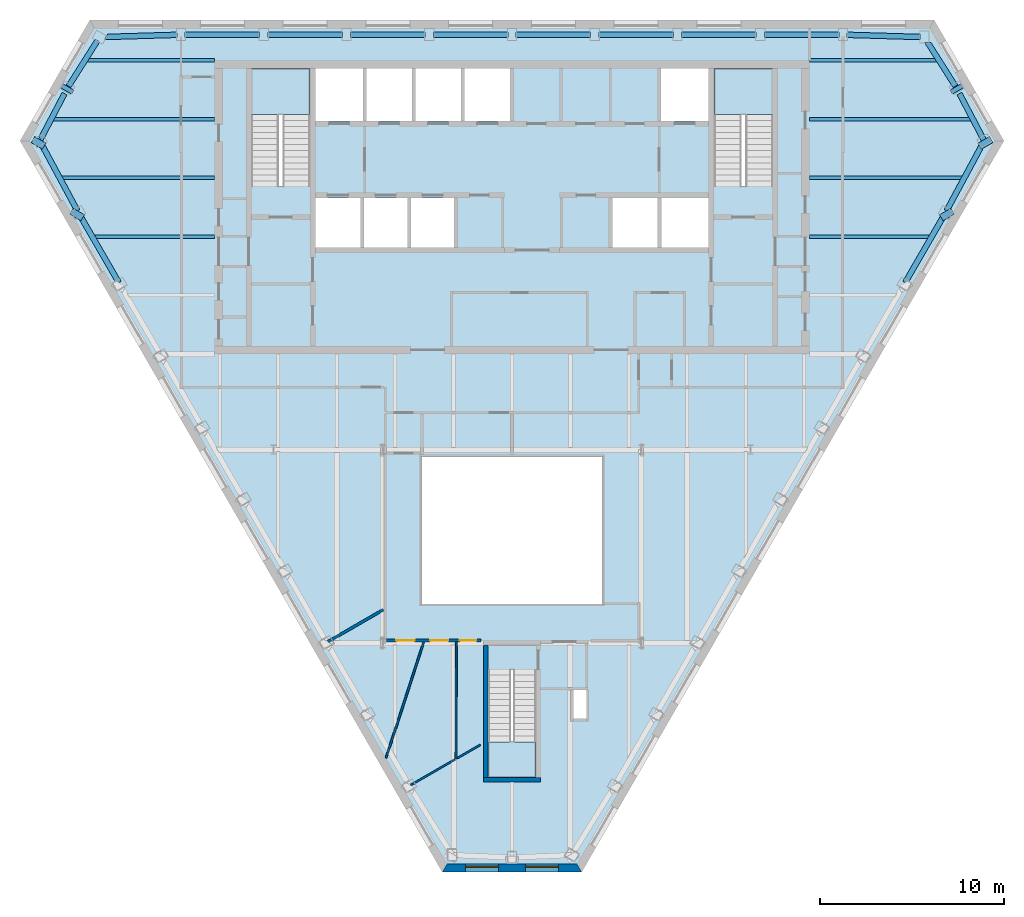
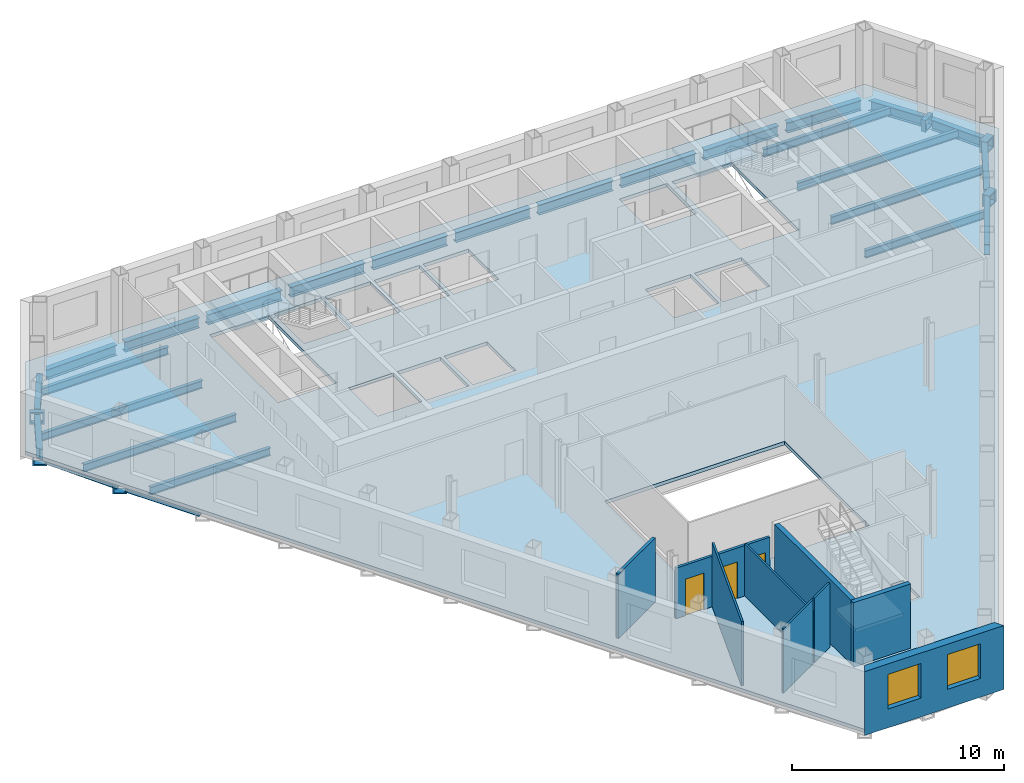
# One storey, part 3 of 10: 32 beams, 9 walls, 4 slabs, 3 doors, 2 windows, 5 openings, 3 elements without a shape of their own.
"""IFC4 building model written with IfcOpenShell, lengths in metres."""

from ifc_helpers import new_model, si_unit, direction, frame, frame_2d, origin, origin_2d, place, context, subcontext, project, spatial, polyline, rectangle, hollow_rectangle, i_section, outline, extrude, clip, halfspace, material, layer, layer_set, material_profile, profile_set, type_object, element, fill, aggregate, save


model = new_model("IFC4")

# Units and contexts
model_context = context("Model", 3, precision=1e-05, world=origin(), true_north=direction((0.0, 1.0)))
body_context = subcontext(model_context, "Body", "Model", "MODEL_VIEW")
ifc_project = project(units=[si_unit("LENGTHUNIT", "METRE"), si_unit("AREAUNIT", "SQUARE_METRE"), si_unit("VOLUMEUNIT", "CUBIC_METRE"), si_unit("PLANEANGLEUNIT", "RADIAN"), si_unit("MASSUNIT", "GRAM", prefix="KILO")], contexts=[model_context])

# Site, building, storey
site_placement = place(None, origin())
site = spatial("IfcSite", under=ifc_project, at=site_placement, CompositionType="ELEMENT")
building_placement = place(site_placement, origin())
building = spatial("IfcBuilding", under=site, at=building_placement, Name="Njiva Tower", CompositionType="ELEMENT")
storey_placement = place(building_placement, frame((0.0, 0.0, 192.6)))
storey = spatial("IfcBuildingStorey", under=building, at=storey_placement, Name="L42", CompositionType="ELEMENT", Elevation=192.6)

# Beams
ifc_material_1 = material(Name="Steel S355 J2", Category="steel")
ifc_material_profile_1 = material_profile(ifc_material_1, hollow_rectangle(XDim=0.7, YDim=0.7, WallThickness=0.08, at=origin_2d()), Name="BOX 700x700x80")
ifc_profile_set_1 = profile_set([ifc_material_profile_1], Name="Steel S355 J2")
beam_type_1 = type_object("IfcBeamType", Name="B19 Column jog beam BOX 700x700x80", PredefinedType="BEAM", material=ifc_profile_set_1)
beam_1_placement = place(storey_placement, frame((-24.302, 16.345, -0.55), z_axis=(0.500878308871, 0.865517717729, 0.0), x_axis=(-0.865517717729, 0.500878308871, 0.0)))
element("IfcBeam", 1, at=beam_1_placement, inside=storey, type_object=beam_type_1, Name="Column jog beam S14-B024", PredefinedType="BEAM", context=body_context, shape_type="SweptSolid", body=[
    extrude(hollow_rectangle(XDim=0.7, YDim=0.7, WallThickness=0.08, at=origin_2d()), origin(), (0.0, 0.0, 1.0), 0.2496),
])
for number, where, z_axis, x_axis, name in (
    (2, (-25.883, 13.341, -0.55), (0.500102178127, 0.865966403178, 0.0), (-0.865966403178, 0.500102178127, 0.0), "Column jog beam S14-B023"),
    (3, (-23.782, 9.437, -0.55), (0.500102178127, 0.865966403178, 0.0), (-0.865966403178, 0.500102178127, 0.0), "Column jog beam S14-B025"),
    (4, (23.782, 9.437, -0.55), (-0.500102178127, 0.865966403178, 0.0), (-0.865966403178, -0.500102178127, 0.0), "Column jog beam S14-B049"),
    (5, (25.883, 13.341, -0.55), (-0.500102178127, 0.865966403178, 0.0), (-0.865966403178, -0.500102178127, 0.0), "Column jog beam S14-B051"),
):
    element("IfcBeam", number, at=place(storey_placement, frame(where, z_axis=z_axis, x_axis=x_axis)), inside=storey, type_object=beam_type_1, Name=name, PredefinedType="BEAM", context=body_context, shape_type="SweptSolid", body=[
        extrude(hollow_rectangle(XDim=0.7, YDim=0.7, WallThickness=0.08, at=origin_2d()), origin(), (0.0, 0.0, 1.0), 0.3799),
    ])
beam_2_placement = place(storey_placement, frame((24.302, 16.345, -0.55), z_axis=(-0.500878308871, 0.865517717729, 0.0), x_axis=(-0.865517717729, -0.500878308871, 0.0)))
element("IfcBeam", 6, at=beam_2_placement, inside=storey, type_object=beam_type_1, Name="Column jog beam S14-B050", PredefinedType="BEAM", context=body_context, shape_type="SweptSolid", body=[
    extrude(hollow_rectangle(XDim=0.7, YDim=0.7, WallThickness=0.08, at=origin_2d()), origin(), (0.0, 0.0, 1.0), 0.2496),
])
ifc_material_profile_2 = material_profile(ifc_material_1, i_section(OverallWidth=0.3, OverallDepth=0.59, WebThickness=0.013, FlangeThickness=0.025, at=origin_2d()), Name="HEA 600")
ifc_profile_set_2 = profile_set([ifc_material_profile_2], Name="Steel S355 J2")
beam_type_2 = type_object("IfcBeamType", Name="B27 Short-span spandrel beam HEA 600", PredefinedType="SPANDREL", material=ifc_profile_set_2)
beam_3_placement = place(storey_placement, frame((22.232, 19.274, -0.495), z_axis=(-0.999551735133, 0.029938750687, 0.0), x_axis=(-0.029938750687, -0.999551735133, 0.0)))
element("IfcBeam", 7, at=beam_3_placement, inside=storey, type_object=beam_type_2, Name="Short-span spandrel beam S14-B132", PredefinedType="SPANDREL", context=body_context, shape_type="SweptSolid", body=[
    extrude(i_section(OverallWidth=0.3, OverallDepth=0.59, WebThickness=0.013, FlangeThickness=0.025, at=origin_2d()), origin(), (0.0, 0.0, 1.0), 3.9748),
])
beam_4_placement = place(storey_placement, frame((17.805, 19.4, -0.495), z_axis=(-1.0, 0.0, 0.0), x_axis=(0.0, -1.0, 0.0)))
element("IfcBeam", 8, at=beam_4_placement, inside=storey, type_object=beam_type_2, Name="Short-span spandrel beam S14-B127", PredefinedType="SPANDREL", context=body_context, shape_type="SweptSolid", body=[
    extrude(i_section(OverallWidth=0.3, OverallDepth=0.59, WebThickness=0.013, FlangeThickness=0.025, at=origin_2d()), origin(), (0.0, 0.0, 1.0), 4.057),
])
beam_5_placement = place(storey_placement, frame((13.298, 19.4, -0.495), z_axis=(-1.0, 0.0, 0.0), x_axis=(0.0, -1.0, 0.0)))
element("IfcBeam", 9, at=beam_5_placement, inside=storey, type_object=beam_type_2, Name="Short-span spandrel beam S14-B122", PredefinedType="SPANDREL", context=body_context, shape_type="SweptSolid", body=[
    extrude(i_section(OverallWidth=0.3, OverallDepth=0.59, WebThickness=0.013, FlangeThickness=0.025, at=origin_2d()), origin(), (0.0, 0.0, 1.0), 4.058),
])
beam_6_placement = place(storey_placement, frame((8.79, 19.4, -0.495), z_axis=(-1.0, 0.0, 0.0), x_axis=(0.0, -1.0, 0.0)))
element("IfcBeam", 10, at=beam_6_placement, inside=storey, type_object=beam_type_2, Name="Short-span spandrel beam S14-B117", PredefinedType="SPANDREL", context=body_context, shape_type="SweptSolid", body=[
    extrude(i_section(OverallWidth=0.3, OverallDepth=0.59, WebThickness=0.013, FlangeThickness=0.025, at=origin_2d()), origin(), (0.0, 0.0, 1.0), 4.057),
])
for number, where, z_axis, x_axis, name in (
    (11, (4.283, 19.4, -0.495), (-1.0, 0.0, 0.0), (0.0, -1.0, 0.0), "Short-span spandrel beam S14-B112"),
    (12, (-0.225, 19.4, -0.495), (-1.0, 0.0, 0.0), (0.0, -1.0, 0.0), "Short-span spandrel beam S14-B109"),
):
    element("IfcBeam", number, at=place(storey_placement, frame(where, z_axis=z_axis, x_axis=x_axis)), inside=storey, type_object=beam_type_2, Name=name, PredefinedType="SPANDREL", context=body_context, shape_type="SweptSolid", body=[
        extrude(i_section(OverallWidth=0.3, OverallDepth=0.59, WebThickness=0.013, FlangeThickness=0.025, at=origin_2d()), origin(), (0.0, 0.0, 1.0), 4.058),
    ])
beam_7_placement = place(storey_placement, frame((-4.733, 19.4, -0.495), z_axis=(-1.0, 0.0, 0.0), x_axis=(0.0, -1.0, 0.0)))
element("IfcBeam", 13, at=beam_7_placement, inside=storey, type_object=beam_type_2, Name="Short-span spandrel beam S14-B104", PredefinedType="SPANDREL", context=body_context, shape_type="SweptSolid", body=[
    extrude(i_section(OverallWidth=0.3, OverallDepth=0.59, WebThickness=0.013, FlangeThickness=0.025, at=origin_2d()), origin(), (0.0, 0.0, 1.0), 4.057),
])
beam_8_placement = place(storey_placement, frame((-9.24, 19.4, -0.495), z_axis=(-1.0, 0.0, 0.0), x_axis=(0.0, -1.0, 0.0)))
element("IfcBeam", 14, at=beam_8_placement, inside=storey, type_object=beam_type_2, Name="Short-span spandrel beam S14-B099", PredefinedType="SPANDREL", context=body_context, shape_type="SweptSolid", body=[
    extrude(i_section(OverallWidth=0.3, OverallDepth=0.59, WebThickness=0.013, FlangeThickness=0.025, at=origin_2d()), origin(), (0.0, 0.0, 1.0), 4.058),
])
beam_9_placement = place(storey_placement, frame((-13.748, 19.4, -0.495), z_axis=(-1.0, 0.0, 0.0), x_axis=(0.0, -1.0, 0.0)))
element("IfcBeam", 15, at=beam_9_placement, inside=storey, type_object=beam_type_2, Name="Short-span spandrel beam S14-B094", PredefinedType="SPANDREL", context=body_context, shape_type="SweptSolid", body=[
    extrude(i_section(OverallWidth=0.3, OverallDepth=0.59, WebThickness=0.013, FlangeThickness=0.025, at=origin_2d()), origin(), (0.0, 0.0, 1.0), 4.057),
])
beam_10_placement = place(storey_placement, frame((-18.259, 19.393, -0.495), z_axis=(-0.999546404273, -0.03011620335, 0.0), x_axis=(0.03011620335, -0.999546404273, 0.0)))
element("IfcBeam", 16, at=beam_10_placement, inside=storey, type_object=beam_type_2, Name="Short-span spandrel beam S14-B089", PredefinedType="SPANDREL", context=body_context, shape_type="Clipping", body=[
    clip(extrude(i_section(OverallWidth=0.3, OverallDepth=0.59, WebThickness=0.013, FlangeThickness=0.025, at=origin_2d()), origin(), (0.0, 0.0, 1.0), 3.9647), halfspace(frame((-0.0268, 0.0, 3.835), z_axis=(-0.525852644597, 0.0, 0.850575685151), x_axis=(0.0, 1.0, 0.0)), False)),
])
beam_11_placement = place(storey_placement, frame((-22.584, 19.072, -0.495), z_axis=(-0.534954739836, -0.844880717218, 0.0), x_axis=(0.844880717218, -0.534954739836, 0.0)))
element("IfcBeam", 17, at=beam_11_placement, inside=storey, type_object=beam_type_2, Name="Short-span spandrel beam S14-B085", PredefinedType="SPANDREL", context=body_context, shape_type="SweptSolid", body=[
    extrude(i_section(OverallWidth=0.3, OverallDepth=0.59, WebThickness=0.013, FlangeThickness=0.025, at=origin_2d()), origin(), (0.0, 0.0, 1.0), 2.933),
])
beam_12_placement = place(storey_placement, frame((-24.374, 16.19, -0.495), z_axis=(-0.464458063409, -0.885595114787, 0.0), x_axis=(0.885595114787, -0.464458063409, 0.0)))
element("IfcBeam", 18, at=beam_12_placement, inside=storey, type_object=beam_type_2, Name="Short-span spandrel beam S14-B081", PredefinedType="SPANDREL", context=body_context, shape_type="Clipping", body=[
    clip(extrude(i_section(OverallWidth=0.3, OverallDepth=0.59, WebThickness=0.013, FlangeThickness=0.025, at=origin_2d()), origin(), (0.0, 0.0, 1.0), 2.9312), halfspace(frame((-0.0265, 0.0, 2.7989), z_axis=(-0.53472077713, 0.0, 0.845028810459), x_axis=(0.0, 1.0, 0.0)), False)),
])
beam_13_placement = place(storey_placement, frame((-25.553, 13.302, -0.495), z_axis=(0.473769879292, -0.880648682209, 0.0), x_axis=(0.880648682209, 0.473769879292, 0.0)))
element("IfcBeam", 19, at=beam_13_placement, inside=storey, type_object=beam_type_2, Name="Short-span spandrel beam S14-B084", PredefinedType="SPANDREL", context=body_context, shape_type="SweptSolid", body=[
    extrude(i_section(OverallWidth=0.3, OverallDepth=0.59, WebThickness=0.013, FlangeThickness=0.025, at=origin_2d()), origin(), (0.0, 0.0, 1.0), 3.9766),
])
for number, where, z_axis, x_axis, name in (
    (20, (-23.445, 9.407, -0.495), (0.500035331196, -0.866005004348, 0.0), (0.866005004348, 0.500035331196, 0.0), "Short-span spandrel beam S14-B088"),
    (21, (21.416, 5.893, -0.495), (0.500035331196, 0.866005004348, 0.0), (-0.866005004348, 0.500035331196, 0.0), "Short-span spandrel beam S14-B135"),
):
    element("IfcBeam", number, at=place(storey_placement, frame(where, z_axis=z_axis, x_axis=x_axis)), inside=storey, type_object=beam_type_2, Name=name, PredefinedType="SPANDREL", context=body_context, shape_type="SweptSolid", body=[
        extrude(i_section(OverallWidth=0.3, OverallDepth=0.59, WebThickness=0.013, FlangeThickness=0.025, at=origin_2d()), origin(), (0.0, 0.0, 1.0), 4.0577),
    ])
beam_14_placement = place(storey_placement, frame((23.669, 9.8, -0.495), z_axis=(0.473725513025, 0.880672548856, 0.0), x_axis=(-0.880672548856, 0.473725513025, 0.0)))
element("IfcBeam", 22, at=beam_14_placement, inside=storey, type_object=beam_type_2, Name="Short-span spandrel beam S14-B139", PredefinedType="SPANDREL", context=body_context, shape_type="Clipping", body=[
    clip(extrude(i_section(OverallWidth=0.3, OverallDepth=0.59, WebThickness=0.013, FlangeThickness=0.025, at=origin_2d()), origin(), (0.0, 0.0, 1.0), 4.0963), halfspace(frame((-0.026, 0.0, 3.9669), z_axis=(-0.525823997962, 0.0, 0.850593394736), x_axis=(0.0, 1.0, 0.0)), False)),
])
beam_15_placement = place(storey_placement, frame((25.723, 13.618, -0.495), z_axis=(-0.464482966683, 0.885582053602, 0.0), x_axis=(-0.885582053602, -0.464482966683, 0.0)))
element("IfcBeam", 23, at=beam_15_placement, inside=storey, type_object=beam_type_2, Name="Short-span spandrel beam S14-B142", PredefinedType="SPANDREL", context=body_context, shape_type="SweptSolid", body=[
    extrude(i_section(OverallWidth=0.3, OverallDepth=0.59, WebThickness=0.013, FlangeThickness=0.025, at=origin_2d()), origin(), (0.0, 0.0, 1.0), 2.9043),
])
beam_16_placement = place(storey_placement, frame((24.153, 16.594, -0.495), z_axis=(-0.534823338306, 0.844963902663, 0.0), x_axis=(-0.844963902663, -0.534823338306, 0.0)))
element("IfcBeam", 24, at=beam_16_placement, inside=storey, type_object=beam_type_2, Name="Short-span spandrel beam S14-B138", PredefinedType="SPANDREL", context=body_context, shape_type="Clipping", body=[
    clip(extrude(i_section(OverallWidth=0.3, OverallDepth=0.59, WebThickness=0.013, FlangeThickness=0.025, at=origin_2d()), origin(), (0.0, 0.0, 1.0), 2.9234), halfspace(frame((-0.0269, 0.0, 2.7914), z_axis=(-0.534823338306, 0.0, 0.844963902663), x_axis=(0.0, 1.0, 0.0)), False)),
])
ifc_material_profile_3 = material_profile(ifc_material_1, i_section(OverallWidth=0.19, OverallDepth=0.45, WebThickness=0.0094, FlangeThickness=0.0146, at=origin_2d()), Name="IPE 450")
ifc_profile_set_3 = profile_set([ifc_material_profile_3], Name="Steel S355 J2")
beam_type_3 = type_object("IfcBeamType", Name="B37 Floor beam to the core IPE 450", PredefinedType="BEAM", material=ifc_profile_set_3)
beam_17_placement = place(storey_placement, frame((-22.823, 8.4, -0.425), z_axis=(1.0, 0.0, 0.0), x_axis=(0.0, 1.0, 0.0)))
element("IfcBeam", 25, at=beam_17_placement, inside=storey, type_object=beam_type_3, Name="Floor beam to the core S14-B004", PredefinedType="BEAM", context=body_context, shape_type="Clipping", body=[
    clip(extrude(i_section(OverallWidth=0.19, OverallDepth=0.45, WebThickness=0.0094, FlangeThickness=0.0146, at=origin_2d()), origin(), (0.0, 0.0, 1.0), 6.623), halfspace(frame((-0.025, 0.0, 0.0894), z_axis=(-0.499998009787, 0.0, -0.866026552831), x_axis=(0.0, -1.0, 0.0)), False)),
])
beam_18_placement = place(storey_placement, frame((16.2, 8.4, -0.425), z_axis=(1.0, 0.0, 0.0), x_axis=(0.0, 1.0, 0.0)))
element("IfcBeam", 26, at=beam_18_placement, inside=storey, type_object=beam_type_3, Name="Floor beam to the core S14-B007", PredefinedType="BEAM", context=body_context, shape_type="Clipping", body=[
    clip(extrude(i_section(OverallWidth=0.19, OverallDepth=0.45, WebThickness=0.0094, FlangeThickness=0.0146, at=origin_2d()), origin(), (0.0, 0.0, 1.0), 6.623), halfspace(frame((-0.025, 0.0, 6.5336), z_axis=(-0.499998009787, 0.0, 0.866026552831), x_axis=(0.0, 1.0, 0.0)), False)),
])
beam_19_placement = place(storey_placement, frame((-24.594, 11.6, -0.425), z_axis=(1.0, 0.0, 0.0), x_axis=(0.0, 1.0, 0.0)))
element("IfcBeam", 27, at=beam_19_placement, inside=storey, type_object=beam_type_3, Name="Floor beam to the core S14-B002", PredefinedType="BEAM", context=body_context, shape_type="Clipping", body=[
    clip(extrude(i_section(OverallWidth=0.19, OverallDepth=0.45, WebThickness=0.0094, FlangeThickness=0.0146, at=origin_2d()), origin(), (0.0, 0.0, 1.0), 8.394), halfspace(frame((-0.0237, 0.0, 0.0835), z_axis=(-0.473769423091, 0.0, -0.880648927634), x_axis=(0.0, -1.0, 0.0)), False)),
])
beam_20_placement = place(storey_placement, frame((16.2, 11.6, -0.425), z_axis=(1.0, 0.0, 0.0), x_axis=(0.0, 1.0, 0.0)))
element("IfcBeam", 28, at=beam_20_placement, inside=storey, type_object=beam_type_3, Name="Floor beam to the core S14-B008", PredefinedType="BEAM", context=body_context, shape_type="Clipping", body=[
    clip(extrude(i_section(OverallWidth=0.19, OverallDepth=0.45, WebThickness=0.0094, FlangeThickness=0.0146, at=origin_2d()), origin(), (0.0, 0.0, 1.0), 8.394), halfspace(frame((-0.0237, 0.0, 8.3105), z_axis=(-0.473769423091, 0.0, 0.880648927634), x_axis=(0.0, 1.0, 0.0)), False)),
])
beam_21_placement = place(storey_placement, frame((-25.06, 14.8, -0.425), z_axis=(1.0, 0.0, 0.0), x_axis=(0.0, 1.0, 0.0)))
element("IfcBeam", 29, at=beam_21_placement, inside=storey, type_object=beam_type_3, Name="Floor beam to the core S14-B001", PredefinedType="BEAM", context=body_context, shape_type="Clipping", body=[
    clip(extrude(i_section(OverallWidth=0.19, OverallDepth=0.45, WebThickness=0.0094, FlangeThickness=0.0146, at=origin_2d()), origin(), (0.0, 0.0, 1.0), 8.86), halfspace(frame((0.0232, 0.0, 0.082), z_axis=(0.464267418007, 0.0, -0.885695074265), x_axis=(0.0, -1.0, 0.0)), False)),
])
beam_22_placement = place(storey_placement, frame((16.2, 14.8, -0.425), z_axis=(1.0, 0.0, 0.0), x_axis=(0.0, 1.0, 0.0)))
element("IfcBeam", 30, at=beam_22_placement, inside=storey, type_object=beam_type_3, Name="Floor beam to the core S14-B009", PredefinedType="BEAM", context=body_context, shape_type="Clipping", body=[
    clip(extrude(i_section(OverallWidth=0.19, OverallDepth=0.45, WebThickness=0.0094, FlangeThickness=0.0146, at=origin_2d()), origin(), (0.0, 0.0, 1.0), 8.86), halfspace(frame((0.0232, 0.0, 8.778), z_axis=(0.464267418007, 0.0, 0.885695074265), x_axis=(0.0, 1.0, 0.0)), False)),
])
beam_23_placement = place(storey_placement, frame((-23.225, 18.0, -0.425), z_axis=(1.0, 0.0, 0.0), x_axis=(0.0, 1.0, 0.0)))
element("IfcBeam", 31, at=beam_23_placement, inside=storey, type_object=beam_type_3, Name="Floor beam to the core S14-B003", PredefinedType="BEAM", context=body_context, shape_type="Clipping", body=[
    clip(extrude(i_section(OverallWidth=0.19, OverallDepth=0.45, WebThickness=0.0094, FlangeThickness=0.0146, at=origin_2d()), origin(), (0.0, 0.0, 1.0), 7.025), halfspace(frame((0.0267, 0.0, 0.097), z_axis=(0.534902428971, 0.0, -0.84491383672), x_axis=(0.0, -1.0, 0.0)), False)),
])
beam_24_placement = place(storey_placement, frame((16.2, 18.0, -0.425), z_axis=(1.0, 0.0, 0.0), x_axis=(0.0, 1.0, 0.0)))
element("IfcBeam", 32, at=beam_24_placement, inside=storey, type_object=beam_type_3, Name="Floor beam to the core S14-B010", PredefinedType="BEAM", context=body_context, shape_type="Clipping", body=[
    clip(extrude(i_section(OverallWidth=0.19, OverallDepth=0.45, WebThickness=0.0094, FlangeThickness=0.0146, at=origin_2d()), origin(), (0.0, 0.0, 1.0), 7.025), halfspace(frame((0.0267, 0.0, 6.928), z_axis=(0.534902428971, 0.0, 0.84491383672), x_axis=(0.0, 1.0, 0.0)), False)),
])

# Stair, slab
ifc_material_2 = material(Name="Concrete C40/50", Category="concrete")
stair_type_1 = type_object("IfcStairType", Name="ST4 Exit stair 1500", PredefinedType="HALF_TURN_STAIR", material=ifc_material_2)
stair_1_placement = place(storey_placement, origin())
stair_1 = element("IfcStair", 33, at=stair_1_placement, inside=storey, type_object=stair_type_1, Name="Stair A", PredefinedType="HALF_TURN_STAIR")
ifc_layer_1 = layer(ifc_material_2, 0.2)
ifc_layer_set_1 = layer_set([ifc_layer_1], Name="Concrete C40/50")
slab_type_1 = type_object("IfcSlabType", Name="FL9 Stair landing 200", PredefinedType="LANDING", material=ifc_layer_set_1)
slab_1_placement = place(storey_placement, frame((0.0, 0.0, 1.75)))
slab_1 = element("IfcSlab", 34, at=slab_1_placement, type_object=slab_type_1, Name="ST-A landing 1", PredefinedType="LANDING", context=body_context, shape_type="SweptSolid", body=[
    extrude(outline(polyline([(-14.206, 15.06), (-10.994, 15.06), (-10.994, 17.55), (-14.206, 17.55), (-14.206, 15.06)])), origin(), (0.0, 0.0, 1.0), 0.2),
])
aggregate(stair_1, [slab_1])

stair_2_placement = place(storey_placement, origin())
stair_2 = element("IfcStair", 35, at=stair_2_placement, inside=storey, type_object=stair_type_1, Name="Stair B", PredefinedType="HALF_TURN_STAIR")
slab_2_placement = place(storey_placement, frame((0.0, 0.0, 1.75)))
slab_2 = element("IfcSlab", 36, at=slab_2_placement, type_object=slab_type_1, Name="ST-B landing 1", PredefinedType="LANDING", context=body_context, shape_type="SweptSolid", body=[
    extrude(outline(polyline([(10.994, 15.06), (14.206, 15.06), (14.206, 17.55), (10.994, 17.55), (10.994, 15.06)])), origin(), (0.0, 0.0, 1.0), 0.2),
])
aggregate(stair_2, [slab_2])

stair_type_2 = type_object("IfcStairType", Name="ST1 Exit stair 1250", PredefinedType="HALF_TURN_STAIR", material=ifc_material_2)
stair_3_placement = place(storey_placement, origin())
stair_3 = element("IfcStair", 37, at=stair_3_placement, inside=storey, type_object=stair_type_2, Name="Stair C", PredefinedType="HALF_TURN_STAIR")
slab_3_placement = place(storey_placement, frame((0.0, 0.0, 1.75)))
slab_3 = element("IfcSlab", 38, at=slab_3_placement, type_object=slab_type_1, Name="ST-C landing 1", PredefinedType="LANDING", context=body_context, shape_type="SweptSolid", body=[
    extrude(outline(polyline([(-1.306, -21.05), (1.306, -21.05), (1.306, -19.12), (-1.306, -19.12), (-1.306, -21.05)])), origin(), (0.0, 0.0, 1.0), 0.2),
])
aggregate(stair_3, [slab_3])

# Slab
ifc_material_3 = material(Name="Concrete C30/37", Category="concrete")
ifc_layer_2 = layer(ifc_material_3, 0.2)
ifc_layer_set_2 = layer_set([ifc_layer_2], Name="Concrete C30/37")
slab_type_2 = type_object("IfcSlabType", Name="SL16 Composite floor slab 200", PredefinedType="FLOOR", material=ifc_layer_set_2)
slab_4_placement = place(storey_placement, frame((0.0, 0.0, -0.2)))
element("IfcSlab", 39, at=slab_4_placement, inside=storey, type_object=slab_type_2, Name="Floor slab L42", PredefinedType="FLOOR", context=body_context, shape_type="SweptSolid", body=[
    extrude(outline(polyline([(26.5402, 13.6182), (3.6701, -25.994), (-3.6701, -25.994), (-26.5402, 13.6182), (-22.8701, 19.975), (22.8701, 19.975), (26.5402, 13.6182)]), holes=[polyline([(10.994, 11.13), (14.206, 11.13), (14.206, 17.55), (10.994, 17.55), (10.994, 11.13)]), polyline([(8.125, 14.7), (10.7, 14.7), (10.7, 17.55), (8.125, 17.55), (8.125, 14.7)]), polyline([(8.1333, 7.8), (10.7, 7.8), (10.7, 10.5), (8.1333, 10.5), (8.1333, 7.8)]), polyline([(5.4667, 7.8), (7.9333, 7.8), (7.9333, 10.5), (5.4667, 10.5), (5.4667, 7.8)]), polyline([(4.9, -11.6), (4.9, -3.6), (-4.9, -3.6), (-4.9, -11.6), (4.9, -11.6)]), polyline([(3.35, -17.85), (4.05, -17.85), (4.05, -16.3), (3.35, -16.3), (3.35, -17.85)]), polyline([(-1.306, -21.05), (1.306, -21.05), (1.306, -15.19), (-1.306, -15.19), (-1.306, -21.05)]), polyline([(-2.575, 14.7), (-0.1, 14.7), (-0.1, 17.55), (-2.575, 17.55), (-2.575, 14.7)]), polyline([(-5.25, 14.7), (-2.775, 14.7), (-2.775, 17.55), (-5.25, 17.55), (-5.25, 14.7)]), polyline([(-5.5, 7.8), (-3.15, 7.8), (-3.15, 10.5), (-5.5, 10.5), (-5.5, 7.8)]), polyline([(-7.925, 14.7), (-5.45, 14.7), (-5.45, 17.55), (-7.925, 17.55), (-7.925, 14.7)]), polyline([(-8.05, 7.8), (-5.7, 7.8), (-5.7, 10.5), (-8.05, 10.5), (-8.05, 7.8)]), polyline([(-10.7, 14.7), (-8.125, 14.7), (-8.125, 17.55), (-10.7, 17.55), (-10.7, 14.7)]), polyline([(-8.25, 7.8), (-8.25, 10.5), (-10.7, 10.5), (-10.7, 7.8), (-8.25, 7.8)]), polyline([(-14.206, 11.13), (-10.994, 11.13), (-10.994, 17.55), (-14.206, 17.55), (-14.206, 11.13)])]), origin(), (0.0, 0.0, 1.0), 0.2),
])

# Walls
ifc_material_4 = material(Name="Gypsum board on steel studs", Category="gypsum")
ifc_layer_3 = layer(ifc_material_4, 0.1)
ifc_layer_set_3 = layer_set([ifc_layer_3], Name="Gypsum board on steel studs")
wall_type_1 = type_object("IfcWallType", Name="WT20 Gypsum partition 100", PredefinedType="PARTITIONING", material=ifc_layer_set_3)
wall_1_placement = place(storey_placement, frame((-6.866, -20.008, 0.0), z_axis=(0.0, 0.0, 1.0), x_axis=(0.309446795586, 0.95091675803, 0.0)))
element("IfcWall", 40, at=wall_1_placement, inside=storey, type_object=wall_type_1, Name="Partition S14-P010", PredefinedType="PARTITIONING", context=body_context, shape_type="SweptSolid", body=[
    extrude(rectangle(XDim=6.6441, YDim=0.1, at=frame_2d((3.322, 0.0))), origin(), (0.0, 0.0, 1.0), 3.7),
])
wall_2_placement = place(storey_placement, frame((-5.505, -21.465, 0.0), z_axis=(0.0, 0.0, 1.0), x_axis=(0.866269282503, 0.49957735156, 0.0)))
element("IfcWall", 41, at=wall_2_placement, inside=storey, type_object=wall_type_1, Name="Partition S14-P013", PredefinedType="PARTITIONING", context=body_context, shape_type="SweptSolid", body=[
    extrude(rectangle(XDim=2.7844, YDim=0.1, at=frame_2d((1.3922, 0.0))), origin(), (0.0, 0.0, 1.0), 3.7),
])
wall_3_placement = place(storey_placement, frame((-3.056, -20.051, 0.0), z_axis=(0.0, 0.0, 1.0), x_axis=(0.002979911487, 0.999995560054, 0.0)))
element("IfcWall", 42, at=wall_3_placement, inside=storey, type_object=wall_type_1, Name="Partition S14-P015", PredefinedType="PARTITIONING", context=body_context, shape_type="SweptSolid", body=[
    extrude(rectangle(XDim=6.376, YDim=0.1, at=frame_2d((3.188, 0.0))), origin(), (0.0, 0.0, 1.0), 3.01),
])
wall_4_placement = place(storey_placement, frame((-2.981, -20.009, 0.0), z_axis=(0.0, 0.0, 1.0), x_axis=(0.866070766281, 0.499921421619, 0.0)))
element("IfcWall", 43, at=wall_4_placement, inside=storey, type_object=wall_type_1, Name="Partition S14-P016", PredefinedType="PARTITIONING", context=body_context, shape_type="SweptSolid", body=[
    extrude(rectangle(XDim=1.4502, YDim=0.1, at=frame_2d((0.7251, 0.0))), origin(), (0.0, 0.0, 1.0), 3.7),
])
ifc_layer_4 = layer(ifc_material_4, 0.15)
ifc_layer_set_4 = layer_set([ifc_layer_4], Name="Gypsum board on steel studs")
wall_type_2 = type_object("IfcWallType", Name="WT21 Compartment wall 150", PredefinedType="PARTITIONING", material=ifc_layer_set_4)
wall_5_placement = place(storey_placement, frame((-10.013, -13.658, 0.0), z_axis=(0.0, 0.0, 1.0), x_axis=(0.865906746611, 0.500205463959, 0.0)))
element("IfcWall", 44, at=wall_5_placement, inside=storey, type_object=wall_type_2, Name="Partition S14-P006", PredefinedType="PARTITIONING", context=body_context, shape_type="SweptSolid", body=[
    extrude(rectangle(XDim=3.4646, YDim=0.15, at=frame_2d((1.7323, 0.0))), origin(), (0.0, 0.0, 1.0), 3.7),
])

# Wall, openings, doors
wall_6_placement = place(storey_placement, frame((-6.825, -13.6, 0.0), z_axis=(0.0, 0.0, 1.0), x_axis=(1.0, 0.0, 0.0)))
wall_6 = element("IfcWall", 45, at=wall_6_placement, inside=storey, type_object=wall_type_2, Name="Partition S14-P011", PredefinedType="PARTITIONING", context=body_context, shape_type="SweptSolid", body=[
    extrude(rectangle(XDim=5.125, YDim=0.15, at=frame_2d((2.5625, 0.0))), origin(), (0.0, 0.0, 1.0), 2.91),
])
opening_1_placement = place(wall_6_placement, frame((0.522, 0.0, 0.0)))
opening_1 = element("IfcOpeningElement", 46, at=opening_1_placement, cuts=wall_6, Name="Opening S14-D006", PredefinedType="OPENING", context=body_context, shape_type="SweptSolid", body=[
    extrude(rectangle(XDim=1.0, YDim=2.1, at=frame_2d((0.5, 1.05))), frame((0.0, 0.085, 0.0), z_axis=(0.0, -1.0, 0.0), x_axis=(1.0, 0.0, 0.0)), (0.0, 0.0, 1.0), 0.17),
])
opening_2_placement = place(wall_6_placement, frame((2.359, 0.0, 0.0)))
opening_2 = element("IfcOpeningElement", 47, at=opening_2_placement, cuts=wall_6, Name="Opening S14-D007", PredefinedType="OPENING", context=body_context, shape_type="SweptSolid", body=[
    extrude(rectangle(XDim=1.0, YDim=2.1, at=frame_2d((0.5, 1.05))), frame((0.0, 0.085, 0.0), z_axis=(0.0, -1.0, 0.0), x_axis=(1.0, 0.0, 0.0)), (0.0, 0.0, 1.0), 0.17),
])
opening_3_placement = place(wall_6_placement, frame((3.988, 0.0, 0.0)))
opening_3 = element("IfcOpeningElement", 48, at=opening_3_placement, cuts=wall_6, Name="Opening S14-D008", PredefinedType="OPENING", context=body_context, shape_type="SweptSolid", body=[
    extrude(rectangle(XDim=0.9, YDim=2.1, at=frame_2d((0.45, 1.05))), frame((0.0, 0.085, 0.0), z_axis=(0.0, -1.0, 0.0), x_axis=(1.0, 0.0, 0.0)), (0.0, 0.0, 1.0), 0.17),
])
ifc_material_5 = material(Name="Steel fire door set", Category="steel")
door_type_1 = type_object("IfcDoorType", Name="D36 Fire door 900x2100", OperationType="SINGLE_SWING_LEFT", PredefinedType="DOOR", material=ifc_material_5)
door_1_placement = place(opening_3_placement, origin())
door_1 = element("IfcDoor", 49, at=door_1_placement, inside=storey, type_object=door_type_1, Name="Door S14-D008", OperationType="SINGLE_SWING_RIGHT", OverallHeight=2.1, OverallWidth=0.9, PredefinedType="DOOR", context=body_context, shape_type="SweptSolid", body=[
    extrude(rectangle(XDim=0.9, YDim=2.1, at=frame_2d((0.45, 1.05))), frame((0.0, 0.025, 0.0), z_axis=(0.0, -1.0, 0.0), x_axis=(1.0, 0.0, 0.0)), (0.0, 0.0, 1.0), 0.05),
])
fill(opening_3, door_1)
door_type_2 = type_object("IfcDoorType", Name="D37 Fire door 1000x2100", OperationType="SINGLE_SWING_LEFT", PredefinedType="DOOR", material=ifc_material_5)
door_2_placement = place(opening_1_placement, origin())
door_2 = element("IfcDoor", 50, at=door_2_placement, inside=storey, type_object=door_type_2, Name="Door S14-D006", OperationType="SINGLE_SWING_LEFT", OverallHeight=2.1, OverallWidth=1.0, PredefinedType="DOOR", context=body_context, shape_type="SweptSolid", body=[
    extrude(rectangle(XDim=1.0, YDim=2.1, at=frame_2d((0.5, 1.05))), frame((0.0, 0.025, 0.0), z_axis=(0.0, -1.0, 0.0), x_axis=(1.0, 0.0, 0.0)), (0.0, 0.0, 1.0), 0.05),
])
fill(opening_1, door_2)
door_3_placement = place(opening_2_placement, origin())
door_3 = element("IfcDoor", 51, at=door_3_placement, inside=storey, type_object=door_type_2, Name="Door S14-D007", OperationType="SINGLE_SWING_RIGHT", OverallHeight=2.1, OverallWidth=1.0, PredefinedType="DOOR", context=body_context, shape_type="SweptSolid", body=[
    extrude(rectangle(XDim=1.0, YDim=2.1, at=frame_2d((0.5, 1.05))), frame((0.0, 0.025, 0.0), z_axis=(0.0, -1.0, 0.0), x_axis=(1.0, 0.0, 0.0)), (0.0, 0.0, 1.0), 0.05),
])
fill(opening_2, door_3)

# Walls
ifc_layer_5 = layer(ifc_material_2, 0.25)
ifc_layer_set_5 = layer_set([ifc_layer_5], Name="Concrete C40/50")
wall_type_3 = type_object("IfcWallType", Name="WT9 Stair enclosure wall 250", PredefinedType="SHEAR", material=ifc_layer_set_5)
wall_7_placement = place(storey_placement, frame((-1.425, -21.05, 0.0), z_axis=(0.0, 0.0, 1.0), x_axis=(0.0, 1.0, 0.0)))
element("IfcWall", 52, at=wall_7_placement, inside=storey, type_object=wall_type_3, Name="Stair C wall west", PredefinedType="SHEAR", context=body_context, shape_type="SweptSolid", body=[
    extrude(rectangle(XDim=7.2, YDim=0.25, at=frame_2d((3.6, 0.0))), origin(), (0.0, 0.0, 1.0), 3.7),
])
wall_8_placement = place(storey_placement, frame((-1.55, -21.175, 0.0), z_axis=(0.0, 0.0, 1.0), x_axis=(1.0, 0.0, 0.0)))
element("IfcWall", 53, at=wall_8_placement, inside=storey, type_object=wall_type_3, Name="Stair C wall south", PredefinedType="SHEAR", context=body_context, shape_type="SweptSolid", body=[
    extrude(rectangle(XDim=3.1, YDim=0.25, at=frame_2d((1.55, 0.0))), origin(), (0.0, 0.0, 1.0), 3.7),
])

# Wall, openings, windows
ifc_material_6 = material(Name="Brick masonry, buff", Category="masonry")
ifc_layer_6 = layer(ifc_material_6, 0.45)
ifc_layer_set_6 = layer_set([ifc_layer_6], Name="Brick masonry, buff")
wall_type_4 = type_object("IfcWallType", Name="WT94 Brick pier and spandrel wall 450, buff", PredefinedType="SOLIDWALL", material=ifc_layer_set_6)
wall_9_placement = place(storey_placement, frame((-3.6701, -25.994, -0.18), z_axis=(0.0, 0.0, 1.0), x_axis=(1.0, 0.0, 0.0)))
wall_9 = element("IfcWall", 54, at=wall_9_placement, inside=storey, type_object=wall_type_4, Name="Facade wall S", PredefinedType="SOLIDWALL", context=body_context, shape_type="SweptSolid", body=[
    extrude(outline(polyline([(-0.1299, -0.225), (7.4701, -0.225), (7.2103, 0.225), (0.1299, 0.225), (-0.1299, -0.225)])), origin(), (0.0, 0.0, 1.0), 3.68),
])
opening_4_placement = place(wall_9_placement, frame((1.1394, 0.0, 1.08)))
opening_4 = element("IfcOpeningElement", 55, at=opening_4_placement, cuts=wall_9, Name="Opening S14-W21", PredefinedType="OPENING", context=body_context, shape_type="SweptSolid", body=[
    extrude(rectangle(XDim=1.8, YDim=2.0, at=frame_2d((0.9, 1.0))), frame((0.0, 0.235, 0.0), z_axis=(0.0, -1.0, 0.0), x_axis=(1.0, 0.0, 0.0)), (0.0, 0.0, 1.0), 0.47),
])
opening_5_placement = place(wall_9_placement, frame((4.4007, 0.0, 1.08)))
opening_5 = element("IfcOpeningElement", 56, at=opening_5_placement, cuts=wall_9, Name="Opening S14-W22", PredefinedType="OPENING", context=body_context, shape_type="SweptSolid", body=[
    extrude(rectangle(XDim=1.8, YDim=2.0, at=frame_2d((0.9, 1.0))), frame((0.0, 0.235, 0.0), z_axis=(0.0, -1.0, 0.0), x_axis=(1.0, 0.0, 0.0)), (0.0, 0.0, 1.0), 0.47),
])
ifc_material_7 = material(Name="Clear glazing in aluminium frame", Category="aluminium")
window_type = type_object("IfcWindowType", Name="W94 Deep-set window 1800x2000", PartitioningType="SINGLE_PANEL", PredefinedType="WINDOW", material=ifc_material_7)
window_1_placement = place(opening_4_placement, origin())
window_1 = element("IfcWindow", 57, at=window_1_placement, inside=storey, type_object=window_type, Name="Window", OverallHeight=2.0, OverallWidth=1.8, PartitioningType="SINGLE_PANEL", PredefinedType="WINDOW", context=body_context, shape_type="SweptSolid", body=[
    extrude(rectangle(XDim=1.8, YDim=2.0, at=frame_2d((0.9, 1.0))), frame((0.0, 0.105, 0.0), z_axis=(0.0, -1.0, 0.0), x_axis=(1.0, 0.0, 0.0)), (0.0, 0.0, 1.0), 0.06),
])
fill(opening_4, window_1)
window_2_placement = place(opening_5_placement, origin())
window_2 = element("IfcWindow", 58, at=window_2_placement, inside=storey, type_object=window_type, Name="Window", OverallHeight=2.0, OverallWidth=1.8, PartitioningType="SINGLE_PANEL", PredefinedType="WINDOW", context=body_context, shape_type="SweptSolid", body=[
    extrude(rectangle(XDim=1.8, YDim=2.0, at=frame_2d((0.9, 1.0))), frame((0.0, 0.105, 0.0), z_axis=(0.0, -1.0, 0.0), x_axis=(1.0, 0.0, 0.0)), (0.0, 0.0, 1.0), 0.06),
])
fill(opening_5, window_2)

save(model, "model.ifc")
